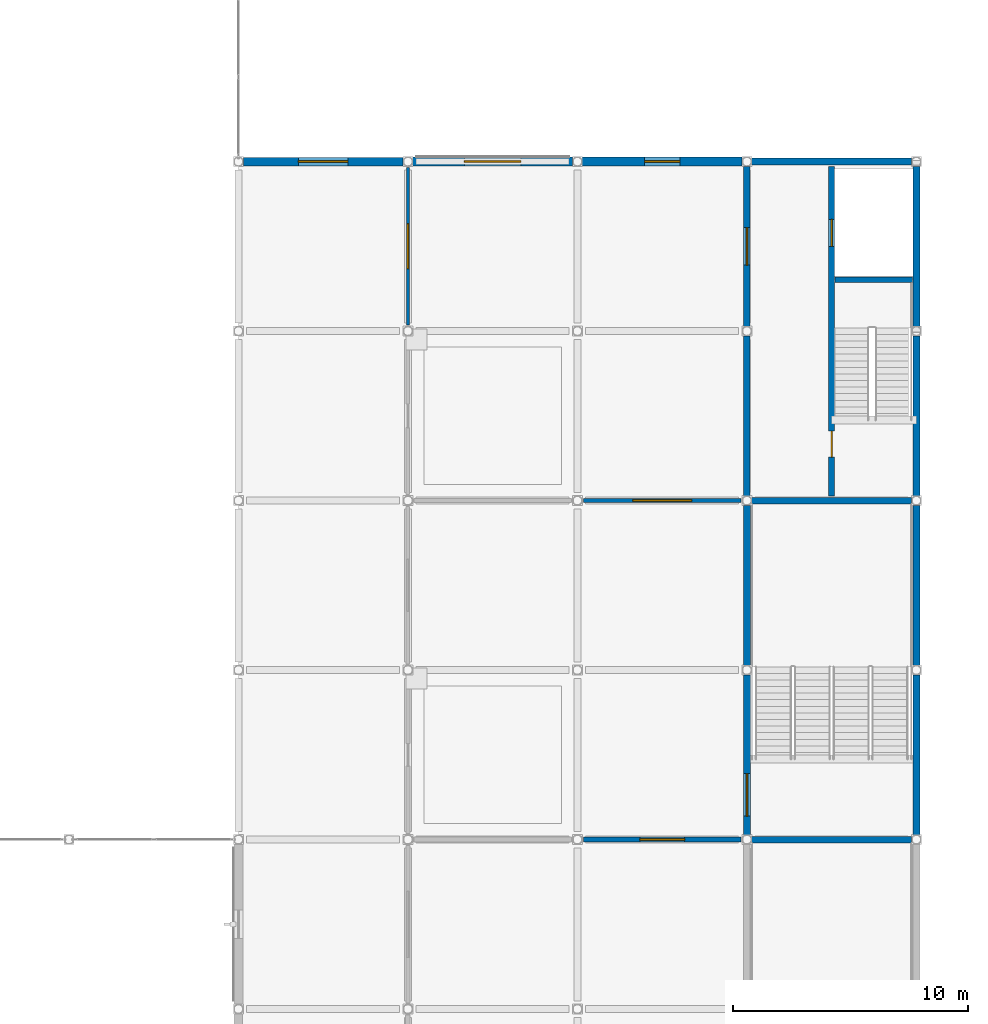
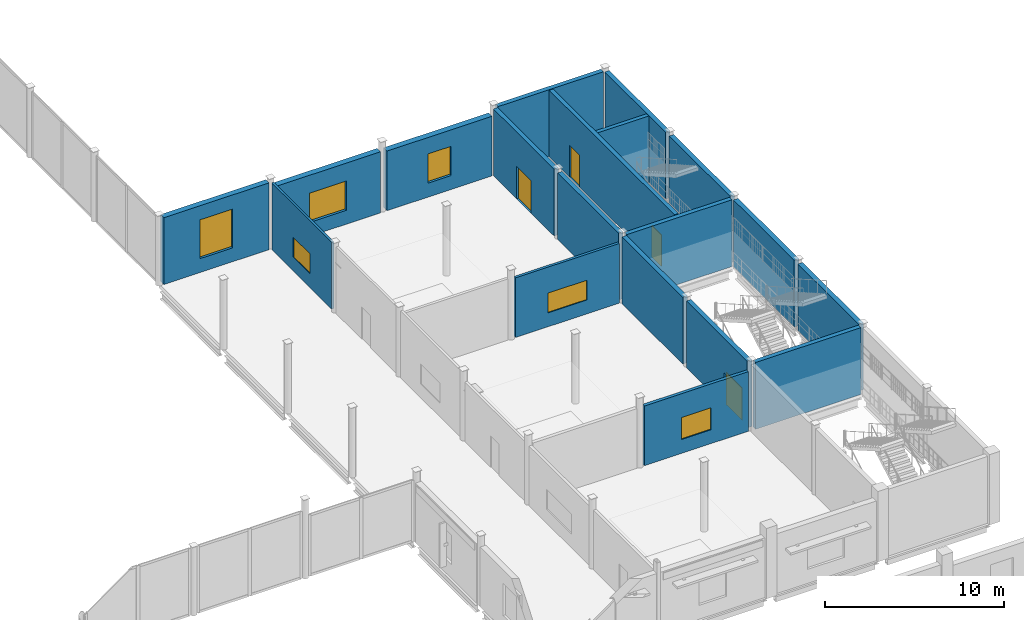
# One storey, part 98 of 120: 19 walls, 6 windows, 4 doors, 10 openings.
"""IFC4 building model written with IfcOpenShell, lengths in metres."""

from ifc_helpers import new_model, si_unit, direction, frame, frame_2d, origin, place, context, subcontext, project, spatial, rectangle, extrude, material, layer, layer_set, type_object, element, fill, save


model = new_model("IFC4")

# Units and contexts
model_context = context("Model", 3, precision=1e-05, world=origin(), true_north=direction((0.0, 1.0)))
body_context = subcontext(model_context, "Body", "Model", "MODEL_VIEW")
ifc_project = project(units=[si_unit("LENGTHUNIT", "METRE"), si_unit("AREAUNIT", "SQUARE_METRE"), si_unit("VOLUMEUNIT", "CUBIC_METRE"), si_unit("PLANEANGLEUNIT", "RADIAN"), si_unit("MASSUNIT", "GRAM", prefix="KILO")], contexts=[model_context])

# Site, building, storey
site_placement = place(None, origin())
site = spatial("IfcSite", under=ifc_project, at=site_placement, CompositionType="ELEMENT")
building_placement = place(site_placement, origin())
building = spatial("IfcBuilding", under=site, at=building_placement, Name="Vesperath Aquatics Centre", CompositionType="ELEMENT")
storey_placement = place(building_placement, frame((0.0, 0.0, 10.199951171875)))
storey = spatial("IfcBuildingStorey", under=building, at=storey_placement, Name="L02", CompositionType="ELEMENT", Elevation=10.199951171875)

# Wall, opening, window
ifc_material_1 = material(Name="Red-terracotta brick insulated cavity wall", Category="masonry")
ifc_layer_1 = layer(ifc_material_1, 0.3798828125)
ifc_layer_set_1 = layer_set([ifc_layer_1], Name="Red-terracotta brick insulated cavity wall")
wall_type_1 = type_object("IfcWallType", Name="WL-EW02", PredefinedType="SOLIDWALL", material=ifc_layer_set_1)
wall_1_placement = place(storey_placement, frame((151.4033203125, 93.60009765625, 0.0), z_axis=(0.0, 0.0, 1.0), x_axis=(1.0, 0.0, 0.0)))
wall_1 = element("IfcWall", 1, at=wall_1_placement, inside=storey, type_object=wall_type_1, Name="Exterior Wall EW02 L02_N_21_13", PredefinedType="SOLIDWALL", context=body_context, shape_type="SweptSolid", body=[
    extrude(rectangle(XDim=6.79345703125, YDim=0.3798828125, at=frame_2d((3.396728515625, 0.0))), origin(), (0.0, 0.0, 1.0), 4.170166015625),
])
opening_1_placement = place(wall_1_placement, frame((2.197021484375, 0.0, 0.949951171875)))
opening_1 = element("IfcOpeningElement", 2, at=opening_1_placement, cuts=wall_1, Name="Opening W05", PredefinedType="OPENING", context=body_context, shape_type="SweptSolid", body=[
    extrude(rectangle(XDim=2.39990234375, YDim=2.0, at=frame_2d((1.199951171875, 1.0))), frame((0.0, 0.204833984375, 0.0), z_axis=(0.0, -1.0, 0.0), x_axis=(1.0, 0.0, 0.0)), (0.0, 0.0, 1.0), 0.40966796875),
])
ifc_material_2 = material(Name="Thermally broken aluminium triple-glazed window", Category="aluminium")
window_type_1 = type_object("IfcWindowType", Name="WN-W05", PartitioningType="SINGLE_PANEL", PredefinedType="WINDOW", material=ifc_material_2)
window_1_placement = place(opening_1_placement, origin())
window_1 = element("IfcWindow", 3, at=window_1_placement, inside=storey, type_object=window_type_1, Name="Deep-Reveal Casement Window W05 L02_N_21_13", OverallHeight=2.0, OverallWidth=2.39990234375, PartitioningType="SINGLE_PANEL", PredefinedType="WINDOW", context=body_context, shape_type="SweptSolid", body=[
    extrude(rectangle(XDim=2.39990234375, YDim=2.0, at=frame_2d((1.199951171875, 1.0))), frame((0.0, 0.030029296875, 0.0), z_axis=(0.0, -1.0, 0.0), x_axis=(1.0, 0.0, 0.0)), (0.0, 0.0, 1.0), 0.06005859375),
])
fill(opening_1, window_1)

wall_2_placement = place(storey_placement, frame((158.603271484375, 93.60009765625, 0.0), z_axis=(0.0, 0.0, 1.0), x_axis=(1.0, 0.0, 0.0)))
wall_2 = element("IfcWall", 4, at=wall_2_placement, inside=storey, type_object=wall_type_1, Name="Exterior Wall EW02 L02_N_22_13", PredefinedType="SOLIDWALL", context=body_context, shape_type="SweptSolid", body=[
    extrude(rectangle(XDim=6.79345703125, YDim=0.3798828125, at=frame_2d((3.396728515625, 0.0))), origin(), (0.0, 0.0, 1.0), 4.072021484375),
])
opening_2_placement = place(wall_2_placement, frame((2.64697265625, 0.0, 0.949951171875)))
opening_2 = element("IfcOpeningElement", 5, at=opening_2_placement, cuts=wall_2, Name="Opening W08", PredefinedType="OPENING", context=body_context, shape_type="SweptSolid", body=[
    extrude(rectangle(XDim=1.5, YDim=2.0, at=frame_2d((0.75, 1.0))), frame((0.0, 0.204833984375, 0.0), z_axis=(0.0, -1.0, 0.0), x_axis=(1.0, 0.0, 0.0)), (0.0, 0.0, 1.0), 0.40966796875),
])
window_type_2 = type_object("IfcWindowType", Name="WN-W08", PartitioningType="SINGLE_PANEL", PredefinedType="WINDOW", material=ifc_material_2)
window_2_placement = place(opening_2_placement, origin())
window_2 = element("IfcWindow", 6, at=window_2_placement, inside=storey, type_object=window_type_2, Name="Deep-Reveal Casement Window W08 L02_N_22_13", OverallHeight=2.0, OverallWidth=1.5, PartitioningType="SINGLE_PANEL", PredefinedType="WINDOW", context=body_context, shape_type="SweptSolid", body=[
    extrude(rectangle(XDim=1.5, YDim=2.0, at=frame_2d((0.75, 1.0))), frame((0.0, 0.030029296875, 0.0), z_axis=(0.0, -1.0, 0.0), x_axis=(1.0, 0.0, 0.0)), (0.0, 0.0, 1.0), 0.06005859375),
])
fill(opening_2, window_2)

ifc_material_3 = material(Name="Glazed majolica and brick insulated cavity wall", Category="masonry")
ifc_layer_2 = layer(ifc_material_3, 0.360107421875)
ifc_layer_set_2 = layer_set([ifc_layer_2], Name="Glazed majolica and brick insulated cavity wall")
wall_type_2 = type_object("IfcWallType", Name="WL-EW03", PredefinedType="SOLIDWALL", material=ifc_layer_set_2)
wall_3_placement = place(storey_placement, frame((144.203125, 93.60009765625, 0.0), z_axis=(0.0, 0.0, 1.0), x_axis=(1.0, 0.0, 0.0)))
wall_3 = element("IfcWall", 7, at=wall_3_placement, inside=storey, type_object=wall_type_2, Name="Exterior Wall EW03 L02_N_20_13", PredefinedType="SOLIDWALL", context=body_context, shape_type="SweptSolid", body=[
    extrude(rectangle(XDim=6.793701171875, YDim=0.360107421875, at=frame_2d((3.39697265625, 0.0))), origin(), (0.0, 0.0, 1.0), 4.56005859375),
])
opening_3_placement = place(wall_3_placement, frame((2.346923828125, 0.0, 0.949951171875)))
opening_3 = element("IfcOpeningElement", 8, at=opening_3_placement, cuts=wall_3, Name="Opening W02", PredefinedType="OPENING", context=body_context, shape_type="SweptSolid", body=[
    extrude(rectangle(XDim=2.10009765625, YDim=2.64990234375, at=frame_2d((1.050048828125, 1.324951171875))), frame((0.0, 0.19482421875, 0.0), z_axis=(0.0, -1.0, 0.0), x_axis=(1.0, 0.0, 0.0)), (0.0, 0.0, 1.0), 0.389892578125),
])
window_type_3 = type_object("IfcWindowType", Name="WN-W02", PartitioningType="SINGLE_PANEL", PredefinedType="WINDOW", material=ifc_material_2)
window_3_placement = place(opening_3_placement, origin())
window_3 = element("IfcWindow", 9, at=window_3_placement, inside=storey, type_object=window_type_3, Name="Deep-Reveal Casement Window W02 L02_N_20_13", OverallHeight=2.64990234375, OverallWidth=2.10009765625, PartitioningType="SINGLE_PANEL", PredefinedType="WINDOW", context=body_context, shape_type="SweptSolid", body=[
    extrude(rectangle(XDim=2.10009765625, YDim=2.64990234375, at=frame_2d((1.050048828125, 1.324951171875))), frame((0.0, 0.030029296875, 0.0), z_axis=(0.0, -1.0, 0.0), x_axis=(1.0, 0.0, 0.0)), (0.0, 0.0, 1.0), 0.06005859375),
])
fill(opening_3, window_3)

ifc_material_4 = material(Name="Wet-village masonry block wall", Category="masonry")
ifc_layer_3 = layer(ifc_material_4, 0.199951171875)
ifc_layer_set_3 = layer_set([ifc_layer_3], Name="Wet-village masonry block wall")
wall_type_3 = type_object("IfcWallType", Name="WL-FW03", PredefinedType="SOLIDWALL", material=ifc_layer_set_3)
wall_4_placement = place(storey_placement, frame((158.6533203125, 64.800048828125, 0.0), z_axis=(0.0, 0.0, 1.0), x_axis=(1.0, 0.0, 0.0)))
wall_4 = element("IfcWall", 10, at=wall_4_placement, inside=storey, type_object=wall_type_3, Name="Interior Partition FW03 L02_CLUB_1-N2", PredefinedType="SOLIDWALL", context=body_context, shape_type="SweptSolid", body=[
    extrude(rectangle(XDim=6.693359375, YDim=0.199951171875, at=frame_2d((3.3466796875, 0.0))), origin(), (0.0, 0.0, 1.0), 4.072021484375),
])
opening_4_placement = place(wall_4_placement, frame((2.39697265625, 0.0, 0.949951171875)))
opening_4 = element("IfcOpeningElement", 11, at=opening_4_placement, cuts=wall_4, Name="Opening VW04", PredefinedType="OPENING", context=body_context, shape_type="SweptSolid", body=[
    extrude(rectangle(XDim=1.89990234375, YDim=1.5, at=frame_2d((0.949951171875, 0.75))), frame((0.0, 0.11474609375, 0.0), z_axis=(0.0, -1.0, 0.0), x_axis=(1.0, 0.0, 0.0)), (0.0, 0.0, 1.0), 0.229736328125),
])
ifc_material_5 = material(Name="Acoustic laminated interior viewing glazing", Category="glass")
window_type_4 = type_object("IfcWindowType", Name="WN-IW04", PartitioningType="SINGLE_PANEL", PredefinedType="WINDOW", material=ifc_material_5)
window_4_placement = place(opening_4_placement, origin())
window_4 = element("IfcWindow", 12, at=window_4_placement, inside=storey, type_object=window_type_4, Name="Interior Viewing Window VW04 L02_CLUB_1", OverallHeight=1.5, OverallWidth=1.89990234375, PartitioningType="SINGLE_PANEL", PredefinedType="WINDOW", context=body_context, shape_type="SweptSolid", body=[
    extrude(rectangle(XDim=1.89990234375, YDim=1.5, at=frame_2d((0.949951171875, 0.75))), frame((0.0, 0.030029296875, 0.0), z_axis=(0.0, -1.0, 0.0), x_axis=(1.0, 0.0, 0.0)), (0.0, 0.0, 1.0), 0.06005859375),
])
fill(opening_4, window_4)

ifc_material_6 = material(Name="Corridor fire-rated gypsum partition", Category="gypsum")
ifc_layer_4 = layer(ifc_material_6, 0.16796875)
ifc_layer_set_4 = layer_set([ifc_layer_4], Name="Corridor fire-rated gypsum partition")
wall_type_4 = type_object("IfcWallType", Name="WL-IW03", PredefinedType="PARTITIONING", material=ifc_layer_set_4)
wall_5_placement = place(storey_placement, frame((158.6533203125, 79.199951171875, 0.0), z_axis=(0.0, 0.0, 1.0), x_axis=(1.0, 0.0, 0.0)))
wall_5 = element("IfcWall", 13, at=wall_5_placement, inside=storey, type_object=wall_type_4, Name="Interior Partition IW03 L02_CLUB_2-N2", PredefinedType="PARTITIONING", context=body_context, shape_type="SweptSolid", body=[
    extrude(rectangle(XDim=6.693359375, YDim=0.16796875, at=frame_2d((3.3466796875, 0.0))), origin(), (0.0, 0.0, 1.0), 4.072021484375),
])
opening_5_placement = place(wall_5_placement, frame((2.096923828125, 0.0, 0.949951171875)))
opening_5 = element("IfcOpeningElement", 14, at=opening_5_placement, cuts=wall_5, Name="Opening VW06", PredefinedType="OPENING", context=body_context, shape_type="SweptSolid", body=[
    extrude(rectangle(XDim=2.5, YDim=1.35009765625, at=frame_2d((1.25, 0.675048828125))), frame((0.0, 0.098876953125, 0.0), z_axis=(0.0, -1.0, 0.0), x_axis=(1.0, 0.0, 0.0)), (0.0, 0.0, 1.0), 0.19775390625),
])
window_type_5 = type_object("IfcWindowType", Name="WN-IW06", PartitioningType="SINGLE_PANEL", PredefinedType="WINDOW", material=ifc_material_5)
window_5_placement = place(opening_5_placement, origin())
window_5 = element("IfcWindow", 15, at=window_5_placement, inside=storey, type_object=window_type_5, Name="Interior Viewing Window VW06 L02_CLUB_2", OverallHeight=1.35009765625, OverallWidth=2.5, PartitioningType="SINGLE_PANEL", PredefinedType="WINDOW", context=body_context, shape_type="SweptSolid", body=[
    extrude(rectangle(XDim=2.5, YDim=1.35009765625, at=frame_2d((1.25, 0.675048828125))), frame((0.0, 0.030029296875, 0.0), z_axis=(0.0, -1.0, 0.0), x_axis=(1.0, 0.0, 0.0)), (0.0, 0.0, 1.0), 0.06005859375),
])
fill(opening_5, window_5)

ifc_material_7 = material(Name="Changing cubicle masonry-backed partition", Category="masonry")
ifc_layer_5 = layer(ifc_material_7, 0.137939453125)
ifc_layer_set_5 = layer_set([ifc_layer_5], Name="Changing cubicle masonry-backed partition")
wall_type_5 = type_object("IfcWallType", Name="WL-IW07", PredefinedType="PARTITIONING", material=ifc_layer_set_5)
wall_6_placement = place(storey_placement, frame((151.199951171875, 86.6533203125, 0.0), z_axis=(0.0, 0.0, 1.0), x_axis=(0.0, 1.0, 0.0)))
wall_6 = element("IfcWall", 16, at=wall_6_placement, inside=storey, type_object=wall_type_5, Name="Interior Partition IW07 L02_CLUB_3-W2", PredefinedType="PARTITIONING", context=body_context, shape_type="SweptSolid", body=[
    extrude(rectangle(XDim=6.693359375, YDim=0.137939453125, at=frame_2d((3.3466796875, 0.0))), origin(), (0.0, 0.0, 1.0), 4.56005859375),
])
opening_6_placement = place(wall_6_placement, frame((2.39697265625, 0.0, 0.949951171875)))
opening_6 = element("IfcOpeningElement", 17, at=opening_6_placement, cuts=wall_6, Name="Opening VW08", PredefinedType="OPENING", context=body_context, shape_type="SweptSolid", body=[
    extrude(rectangle(XDim=1.89990234375, YDim=1.35009765625, at=frame_2d((0.949951171875, 0.675048828125))), frame((0.0, 0.083984375, 0.0), z_axis=(0.0, -1.0, 0.0), x_axis=(1.0, 0.0, 0.0)), (0.0, 0.0, 1.0), 0.167724609375),
])
window_type_6 = type_object("IfcWindowType", Name="WN-IW08", PartitioningType="SINGLE_PANEL", PredefinedType="WINDOW", material=ifc_material_5)
window_6_placement = place(opening_6_placement, origin())
window_6 = element("IfcWindow", 18, at=window_6_placement, inside=storey, type_object=window_type_6, Name="Interior Viewing Window VW08 L02_CLUB_3", OverallHeight=1.35009765625, OverallWidth=1.89990234375, PartitioningType="SINGLE_PANEL", PredefinedType="WINDOW", context=body_context, shape_type="SweptSolid", body=[
    extrude(rectangle(XDim=1.89990234375, YDim=1.35009765625, at=frame_2d((0.949951171875, 0.675048828125))), frame((0.0, 0.030029296875, 0.0), z_axis=(0.0, -1.0, 0.0), x_axis=(1.0, 0.0, 0.0)), (0.0, 0.0, 1.0), 0.06005859375),
])
fill(opening_6, window_6)

# Wall, opening, door
ifc_material_8 = material(Name="Concrete C40", Category="concrete")
ifc_layer_6 = layer(ifc_material_8, 0.300048828125)
ifc_layer_set_6 = layer_set([ifc_layer_6], Name="Concrete C40")
wall_type_6 = type_object("IfcWallType", Name="WL-SW01", PredefinedType="SHEAR", material=ifc_layer_set_6)
wall_7_placement = place(storey_placement, frame((165.60009765625, 65.003173828125, 0.0), z_axis=(0.0, 0.0, 1.0), x_axis=(0.0, 1.0, 0.0)))
wall_7 = element("IfcWall", 19, at=wall_7_placement, inside=storey, type_object=wall_type_6, Name="Core C13 West-1 Shear Wall SW01 L02", PredefinedType="SHEAR", context=body_context, shape_type="SweptSolid", body=[
    extrude(rectangle(XDim=6.793701171875, YDim=0.300048828125, at=frame_2d((3.39697265625, 0.0))), origin(), (0.0, 0.0, 1.0), 4.56005859375),
])
opening_7_placement = place(wall_7_placement, frame((0.797119140625, 0.0, 0.0)))
opening_7 = element("IfcOpeningElement", 20, at=opening_7_placement, cuts=wall_7, Name="Opening D03", PredefinedType="OPENING", context=body_context, shape_type="SweptSolid", body=[
    extrude(rectangle(XDim=1.800048828125, YDim=2.199951171875, at=frame_2d((0.89990234375, 1.10009765625))), frame((0.0, 0.1650390625, 0.0), z_axis=(0.0, -1.0, 0.0), x_axis=(1.0, 0.0, 0.0)), (0.0, 0.0, 1.0), 0.329833984375),
])
ifc_material_9 = material(Name="Corridor smoke-control double fire door", Category="steel")
door_type_1 = type_object("IfcDoorType", Name="DR-FD03", OperationType="DOUBLE_SWING_LEFT", PredefinedType="DOOR", material=ifc_material_9)
door_1_placement = place(opening_7_placement, frame((1.800048828125, 0.0, 0.0), z_axis=(0.0, 0.0, 1.0), x_axis=(-1.0, 0.0, 0.0)))
door_1 = element("IfcDoor", 21, at=door_1_placement, inside=storey, type_object=door_type_1, Name="Stair ST13 Fire Door D03 L02", OperationType="DOUBLE_SWING_LEFT", OverallHeight=2.199951171875, OverallWidth=1.800048828125, PredefinedType="DOOR", context=body_context, shape_type="SweptSolid", body=[
    extrude(rectangle(XDim=1.800048828125, YDim=2.199951171875, at=frame_2d((0.89990234375, 1.10009765625))), frame((0.0, 0.02490234375, 0.0), z_axis=(0.0, -1.0, 0.0), x_axis=(1.0, 0.0, 0.0)), (0.0, 0.0, 1.0), 0.050048828125),
])
fill(opening_7, door_1)

# Walls
wall_8_placement = place(storey_placement, frame((165.60009765625, 72.203125, 0.0), z_axis=(0.0, 0.0, 1.0), x_axis=(0.0, 1.0, 0.0)))
element("IfcWall", 22, at=wall_8_placement, inside=storey, type_object=wall_type_6, Name="Core C13 West-2 Shear Wall SW01 L02", PredefinedType="SHEAR", context=body_context, shape_type="SweptSolid", body=[
    extrude(rectangle(XDim=6.793701171875, YDim=0.300048828125, at=frame_2d((3.39697265625, 0.0))), origin(), (0.0, 0.0, 1.0), 4.56005859375),
])
ifc_layer_7 = layer(ifc_material_8, 0.280029296875)
ifc_layer_set_7 = layer_set([ifc_layer_7], Name="Concrete C40")
wall_type_7 = type_object("IfcWallType", Name="WL-SW02", PredefinedType="SHEAR", material=ifc_layer_set_7)
for number, where, z_axis, x_axis, name in (
    (23, (165.80322265625, 79.199951171875, 0.0), (0.0, 0.0, 1.0), (1.0, 0.0, 0.0), "Core C4 South Shear Wall SW02 L02"),
    (24, (165.60009765625, 79.4033203125, 0.0), (0.0, 0.0, 1.0), (0.0, 1.0, 0.0), "Core C4 West-1 Shear Wall SW02 L02"),
):
    element("IfcWall", number, at=place(storey_placement, frame(where, z_axis=z_axis, x_axis=x_axis)), inside=storey, type_object=wall_type_7, Name=name, PredefinedType="SHEAR", context=body_context, shape_type="SweptSolid", body=[
        extrude(rectangle(XDim=6.79345703125, YDim=0.280029296875, at=frame_2d((3.396728515625, 0.0))), origin(), (0.0, 0.0, 1.0), 4.56005859375),
    ])

# Wall, opening, door
wall_9_placement = place(storey_placement, frame((165.60009765625, 86.603271484375, 0.0), z_axis=(0.0, 0.0, 1.0), x_axis=(0.0, 1.0, 0.0)))
wall_9 = element("IfcWall", 25, at=wall_9_placement, inside=storey, type_object=wall_type_7, Name="Core C4 West-2 Shear Wall SW02 L02", PredefinedType="SHEAR", context=body_context, shape_type="SweptSolid", body=[
    extrude(rectangle(XDim=6.79345703125, YDim=0.280029296875, at=frame_2d((3.396728515625, 0.0))), origin(), (0.0, 0.0, 1.0), 4.56005859375),
])
opening_8_placement = place(wall_9_placement, frame((2.596923828125, 0.0, 0.0)))
opening_8 = element("IfcOpeningElement", 26, at=opening_8_placement, cuts=wall_9, Name="Opening D02", PredefinedType="OPENING", context=body_context, shape_type="SweptSolid", body=[
    extrude(rectangle(XDim=1.60009765625, YDim=2.199951171875, at=frame_2d((0.800048828125, 1.10009765625))), frame((0.0, 0.15478515625, 0.0), z_axis=(0.0, -1.0, 0.0), x_axis=(1.0, 0.0, 0.0)), (0.0, 0.0, 1.0), 0.309814453125),
])
ifc_material_10 = material(Name="Glazed fire-rated lobby double door", Category="steel")
door_type_2 = type_object("IfcDoorType", Name="DR-FD02", OperationType="DOUBLE_SWING_LEFT", PredefinedType="DOOR", material=ifc_material_10)
door_2_placement = place(opening_8_placement, origin())
door_2 = element("IfcDoor", 27, at=door_2_placement, inside=storey, type_object=door_type_2, Name="Core C4 Lobby Fire Door D02 L02", OperationType="DOUBLE_SWING_LEFT", OverallHeight=2.199951171875, OverallWidth=1.60009765625, PredefinedType="DOOR", context=body_context, shape_type="SweptSolid", body=[
    extrude(rectangle(XDim=1.60009765625, YDim=2.199951171875, at=frame_2d((0.800048828125, 1.10009765625))), frame((0.0, 0.02490234375, 0.0), z_axis=(0.0, -1.0, 0.0), x_axis=(1.0, 0.0, 0.0)), (0.0, 0.0, 1.0), 0.050048828125),
])
fill(opening_8, door_2)

# Wall
wall_10_placement = place(storey_placement, frame((165.80322265625, 64.800048828125, 0.0), z_axis=(0.0, 0.0, 1.0), x_axis=(1.0, 0.0, 0.0)))
element("IfcWall", 28, at=wall_10_placement, inside=storey, type_object=wall_type_7, Name="Core C12 North Shear Wall SW02 L02", PredefinedType="SHEAR", context=body_context, shape_type="SweptSolid", body=[
    extrude(rectangle(XDim=6.79345703125, YDim=0.280029296875, at=frame_2d((3.396728515625, 0.0))), origin(), (0.0, 0.0, 1.0), 4.56005859375),
])

# Wall, openings, doors
ifc_layer_8 = layer(ifc_material_8, 0.260009765625)
ifc_layer_set_8 = layer_set([ifc_layer_8], Name="Concrete C40")
wall_type_8 = type_object("IfcWallType", Name="WL-SW03", PredefinedType="SHEAR", material=ifc_layer_set_8)
wall_11_placement = place(storey_placement, frame((169.199951171875, 79.39990234375, 0.0), z_axis=(0.0, 0.0, 1.0), x_axis=(0.0, 1.0, 0.0)))
wall_11 = element("IfcWall", 29, at=wall_11_placement, inside=storey, type_object=wall_type_8, Name="Core C4 Spine Shear Wall SW03 L02", PredefinedType="SHEAR", context=body_context, shape_type="SweptSolid", body=[
    extrude(rectangle(XDim=14.0, YDim=0.260009765625, at=frame_2d((7.0, 0.0))), origin(), (0.0, 0.0, 1.0), 4.56005859375),
])
opening_9_placement = place(wall_11_placement, frame((1.64990234375, 0.0, 0.0)))
opening_9 = element("IfcOpeningElement", 30, at=opening_9_placement, cuts=wall_11, Name="Opening D01", PredefinedType="OPENING", context=body_context, shape_type="SweptSolid", body=[
    extrude(rectangle(XDim=1.10009765625, YDim=2.14990234375, at=frame_2d((0.550048828125, 1.074951171875))), frame((0.0, 0.14501953125, 0.0), z_axis=(0.0, -1.0, 0.0), x_axis=(1.0, 0.0, 0.0)), (0.0, 0.0, 1.0), 0.289794921875),
])
opening_10_placement = place(wall_11_placement, frame((10.60009765625, 0.0, 0.0)))
opening_10 = element("IfcOpeningElement", 31, at=opening_10_placement, cuts=wall_11, Name="Opening LD02", PredefinedType="OPENING", context=body_context, shape_type="SweptSolid", body=[
    extrude(rectangle(XDim=1.14990234375, YDim=2.199951171875, at=frame_2d((0.574951171875, 1.10009765625))), frame((0.0, 0.14501953125, 0.0), z_axis=(0.0, -1.0, 0.0), x_axis=(1.0, 0.0, 0.0)), (0.0, 0.0, 1.0), 0.289794921875),
])
ifc_material_11 = material(Name="Steel-faced acoustic fire door", Category="steel")
door_type_3 = type_object("IfcDoorType", Name="DR-FD01", OperationType="NOTDEFINED", PredefinedType="DOOR", material=ifc_material_11)
door_3_placement = place(opening_9_placement, frame((1.10009765625, 0.0, 0.0), z_axis=(0.0, 0.0, 1.0), x_axis=(-1.0, 0.0, 0.0)))
door_3 = element("IfcDoor", 32, at=door_3_placement, inside=storey, type_object=door_type_3, Name="Stair ST4 Fire Door D01 L02", OperationType="SINGLE_SWING_RIGHT", OverallHeight=2.14990234375, OverallWidth=1.10009765625, PredefinedType="DOOR", context=body_context, shape_type="SweptSolid", body=[
    extrude(rectangle(XDim=1.10009765625, YDim=2.14990234375, at=frame_2d((0.550048828125, 1.074951171875))), frame((0.0, 0.02490234375, 0.0), z_axis=(0.0, -1.0, 0.0), x_axis=(1.0, 0.0, 0.0)), (0.0, 0.0, 1.0), 0.050048828125),
])
fill(opening_9, door_3)
ifc_material_12 = material(Name="Brushed stainless steel lift landing door", Category="steel")
door_type_4 = type_object("IfcDoorType", Name="DR-LD02", OperationType="SLIDING_TO_RIGHT", PredefinedType="DOOR", material=ifc_material_12)
door_4_placement = place(opening_10_placement, origin())
door_4 = element("IfcDoor", 33, at=door_4_placement, inside=storey, type_object=door_type_4, Name="Lift LFT-P3 Sliding Landing Door LD02 L02", OperationType="SLIDING_TO_RIGHT", OverallHeight=2.199951171875, OverallWidth=1.14990234375, PredefinedType="DOOR", context=body_context, shape_type="SweptSolid", body=[
    extrude(rectangle(XDim=1.14990234375, YDim=2.199951171875, at=frame_2d((0.574951171875, 1.10009765625))), frame((0.0, 0.02490234375, 0.0), z_axis=(0.0, -1.0, 0.0), x_axis=(1.0, 0.0, 0.0)), (0.0, 0.0, 1.0), 0.050048828125),
])
fill(opening_10, door_4)

# Walls
ifc_layer_9 = layer(ifc_material_8, 0.25)
ifc_layer_set_9 = layer_set([ifc_layer_9], Name="Concrete C40")
wall_type_9 = type_object("IfcWallType", Name="WL-SW04", PredefinedType="SHEAR", material=ifc_layer_set_9)
wall_12_placement = place(storey_placement, frame((169.340087890625, 88.580078125, 0.0), z_axis=(0.0, 0.0, 1.0), x_axis=(1.0, 0.0, 0.0)))
element("IfcWall", 34, at=wall_12_placement, inside=storey, type_object=wall_type_9, Name="Core C4 Lift Shaft Wall SW04 L02", PredefinedType="SHEAR", context=body_context, shape_type="SweptSolid", body=[
    extrude(rectangle(XDim=3.2998046875, YDim=0.25, at=frame_2d((1.64990234375, 0.0))), origin(), (0.0, 0.0, 1.0), 4.56005859375),
])
ifc_layer_10 = layer(ifc_material_8, 0.31005859375)
ifc_layer_set_10 = layer_set([ifc_layer_10], Name="Concrete C40")
wall_type_10 = type_object("IfcWallType", Name="WL-SW05", PredefinedType="SHEAR", material=ifc_layer_set_10)
for number, where, z_axis, x_axis, name in (
    (35, (172.800048828125, 65.003173828125, 0.0), (0.0, 0.0, 1.0), (0.0, 1.0, 0.0), "Core C13 East-1 Shear Wall SW05 L02"),
    (36, (172.800048828125, 72.203125, 0.0), (0.0, 0.0, 1.0), (0.0, 1.0, 0.0), "Core C13 East-2 Shear Wall SW05 L02"),
):
    element("IfcWall", number, at=place(storey_placement, frame(where, z_axis=z_axis, x_axis=x_axis)), inside=storey, type_object=wall_type_10, Name=name, PredefinedType="SHEAR", context=body_context, shape_type="SweptSolid", body=[
        extrude(rectangle(XDim=6.793701171875, YDim=0.31005859375, at=frame_2d((3.39697265625, 0.0))), origin(), (0.0, 0.0, 1.0), 4.56005859375),
    ])
ifc_layer_11 = layer(ifc_material_8, 0.2900390625)
ifc_layer_set_11 = layer_set([ifc_layer_11], Name="Concrete C40")
wall_type_11 = type_object("IfcWallType", Name="WL-SW06", PredefinedType="SHEAR", material=ifc_layer_set_11)
for number, where, z_axis, x_axis, name in (
    (37, (165.80322265625, 93.60009765625, 0.0), (0.0, 0.0, 1.0), (1.0, 0.0, 0.0), "Core C4 North Shear Wall SW06 L02"),
    (38, (172.800048828125, 79.4033203125, 0.0), (0.0, 0.0, 1.0), (0.0, 1.0, 0.0), "Core C4 East-1 Shear Wall SW06 L02"),
    (39, (172.800048828125, 86.603271484375, 0.0), (0.0, 0.0, 1.0), (0.0, 1.0, 0.0), "Core C4 East-2 Shear Wall SW06 L02"),
):
    element("IfcWall", number, at=place(storey_placement, frame(where, z_axis=z_axis, x_axis=x_axis)), inside=storey, type_object=wall_type_11, Name=name, PredefinedType="SHEAR", context=body_context, shape_type="SweptSolid", body=[
        extrude(rectangle(XDim=6.79345703125, YDim=0.2900390625, at=frame_2d((3.396728515625, 0.0))), origin(), (0.0, 0.0, 1.0), 4.56005859375),
    ])

save(model, "model.ifc")
